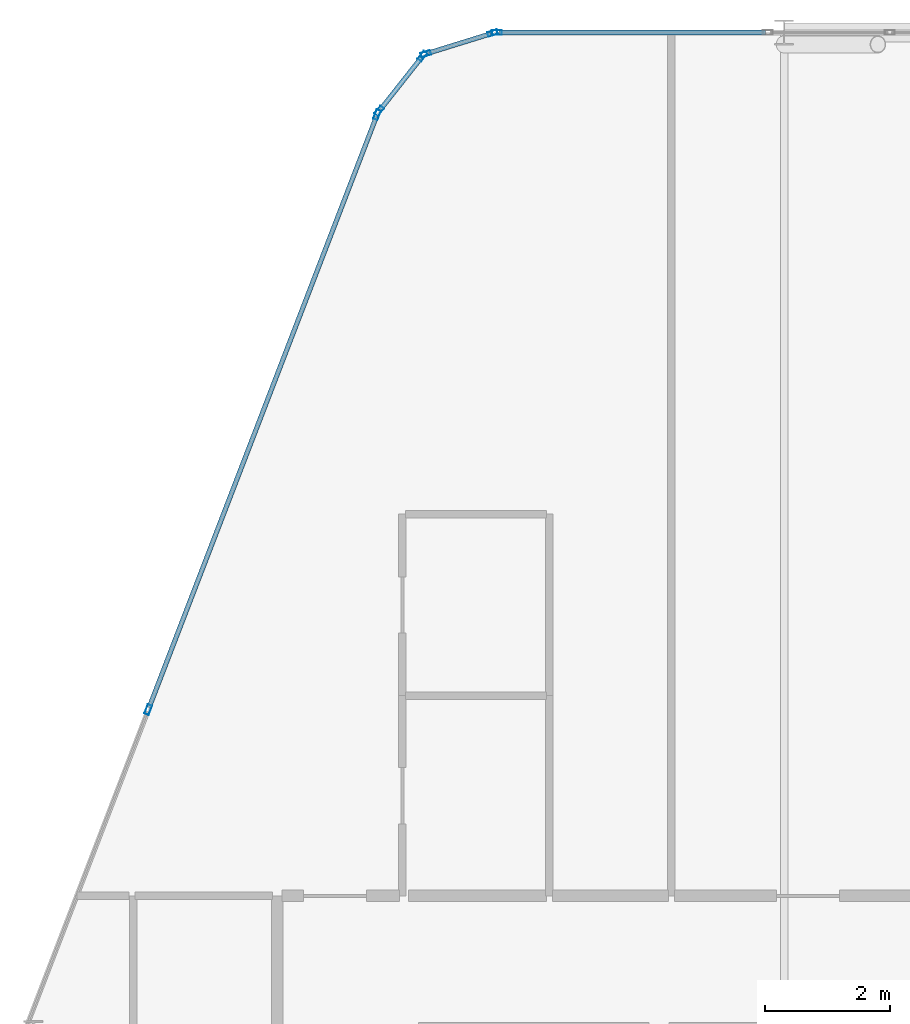
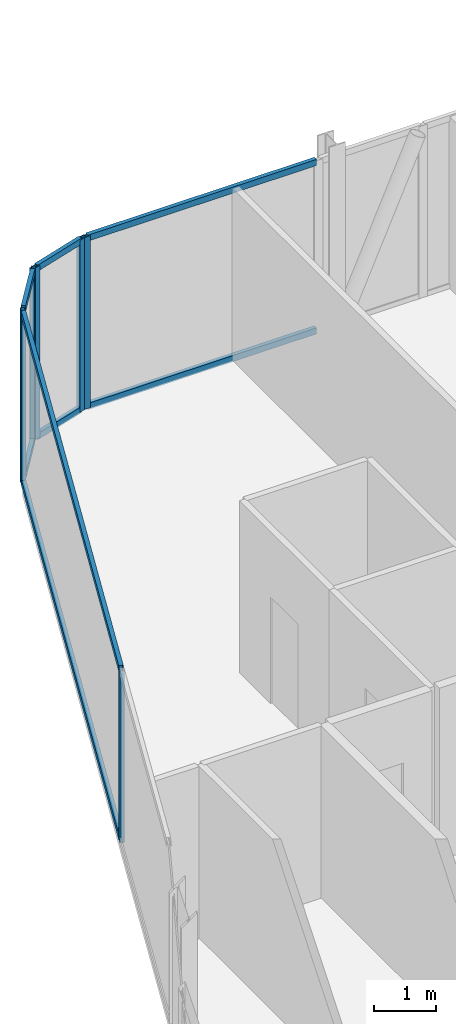
# One storey, part 15 of 27: 15 members, 4 elements without a shape of their own.
"""IFC4 building model written with IfcOpenShell, lengths in metres."""

import ifcopenshell
import ifcopenshell.guid

model = None  # the IFC model being written
_history = None  # IfcOwnerHistory: only IFC2X3 demands one
_inside = {}  # id of a spatial element -> (the spatial element, [elements in it])
_under = {}  # id of a project, library or spatial element -> (it, [spatial elements below it])
_declared = {}  # id of a project -> (the project, [libraries it declares])
_typed = {}  # id of a type object -> (the type object, [elements of that type])
_made_of = {}  # id of a material, layer set ... -> (it, [elements and type objects made of it])


def new_model(schema):
    """Start an empty IFC model of exactly this schema.

    Asked for "IFC4X3", IfcOpenShell would pick the latest addendum, in which some entities
    have other attributes; the version numbers below select the first issue.
    IFC2X3 requires an IfcOwnerHistory on every rooted entity: one is made here for all.
    """
    global model, _history
    if schema == "IFC4X3":
        model = ifcopenshell.file(schema_version=(4, 3, 0, 0))
    else:
        model = ifcopenshell.file(schema=schema)
    _inside.clear()
    _under.clear()
    _declared.clear()
    _typed.clear()
    _made_of.clear()
    _history = None
    if model.schema == "IFC2X3":
        org = make("IfcOrganization", Name="unknown")
        user = make(
            "IfcPersonAndOrganization",
            ThePerson=make("IfcPerson", FamilyName="unknown"),
            TheOrganization=org,
        )
        app = make(
            "IfcApplication",
            ApplicationDeveloper=org,
            Version="unknown",
            ApplicationFullName="unknown",
            ApplicationIdentifier="unknown",
        )
        _history = make(
            "IfcOwnerHistory",
            OwningUser=user,
            OwningApplication=app,
            ChangeAction="ADDED",
            CreationDate=0,
        )
    return model


def make(cls, **values):
    """One entity of the class cls with the attributes given. An attribute that is None is left unset."""
    return model.create_entity(
        cls, **{name: value for name, value in values.items() if value is not None}
    )


def rooted(cls, **values):
    """An entity with a GlobalId (a new one), such as an element, a storey or a relation."""
    return make(cls, GlobalId=ifcopenshell.guid.new(), OwnerHistory=_history, **values)


def si_unit(unit_type, name, prefix=None):
    """IfcSIUnit, for example si_unit("LENGTHUNIT", "METRE", prefix="MILLI")."""
    return make("IfcSIUnit", UnitType=unit_type, Prefix=prefix, Name=name)


def assignment(units):
    """IfcUnitAssignment: the units of a project."""
    return None if units is None else make("IfcUnitAssignment", Units=units)


def point(xyz):
    """IfcCartesianPoint."""
    return None if xyz is None else make("IfcCartesianPoint", Coordinates=xyz)


def direction(xyz):
    """IfcDirection."""
    return None if xyz is None else make("IfcDirection", DirectionRatios=xyz)


def frame(location, z_axis=None, x_axis=None):
    """IfcAxis2Placement3D, a coordinate frame: its origin and axes. An axis left out is left unset."""
    return make(
        "IfcAxis2Placement3D",
        Location=point(location),
        Axis=direction(z_axis),
        RefDirection=direction(x_axis),
    )


def frame_2d(location, x_axis=None):
    """IfcAxis2Placement2D, a coordinate frame in the plane: its origin and x axis."""
    return make(
        "IfcAxis2Placement2D", Location=point(location), RefDirection=direction(x_axis)
    )


def origin():
    """The frame at (0, 0, 0) with its axes left unset."""
    return frame((0.0, 0.0, 0.0))


def origin_2d():
    """The frame at (0, 0) in the plane with its x axis left unset."""
    return frame_2d((0.0, 0.0))


def place(relative_to, where):
    """IfcLocalPlacement: puts the frame where relative to a parent placement (None: the world)."""
    return make(
        "IfcLocalPlacement", PlacementRelTo=relative_to, RelativePlacement=where
    )


def context(
    kind, dimensions, precision=None, world=None, true_north=None, identifier=None
):
    """IfcGeometricRepresentationContext, for example the 3D "Model" context."""
    return make(
        "IfcGeometricRepresentationContext",
        ContextIdentifier=identifier,
        ContextType=kind,
        CoordinateSpaceDimension=dimensions,
        Precision=precision,
        WorldCoordinateSystem=world,
        TrueNorth=true_north,
    )


def subcontext(parent, identifier, kind, view, scale=None):
    """IfcGeometricRepresentationSubContext, for example "Body" below "Model"."""
    return make(
        "IfcGeometricRepresentationSubContext",
        ContextIdentifier=identifier,
        ContextType=kind,
        ParentContext=parent,
        TargetScale=scale,
        TargetView=view,
    )


def project(units=None, contexts=None):
    """IfcProject with its units and contexts."""
    return rooted(
        "IfcProject",
        Name="project",
        RepresentationContexts=contexts,
        UnitsInContext=assignment(units),
    )


def spatial(cls, under=None, at=None, **own):
    """A site, building, storey or space (cls), placed at a placement, below another one or the project."""
    s = rooted(cls, ObjectPlacement=at, **own)
    if under is not None:
        _under.setdefault(under.id(), (under, []))[1].append(s)
    return s


def profile(cls, at=None, kind="AREA", **sizes):
    """A parametric profile (cls). Its sizes go by their IFC names, for example OverallWidth=200.0."""
    return make(cls, ProfileType=kind, Position=at, **sizes)


def hollow_rectangle(**sizes):
    """IfcRectangleHollowProfileDef."""
    return profile("IfcRectangleHollowProfileDef", **sizes)


def extrude(swept, where, along, depth):
    """IfcExtrudedAreaSolid: the profile swept, set in the frame where, extruded along a direction by depth."""
    return make(
        "IfcExtrudedAreaSolid",
        SweptArea=swept,
        Position=where,
        ExtrudedDirection=direction(along),
        Depth=depth,
    )


def shape(context_of_items, identifier, shape_type, items):
    """IfcShapeRepresentation: the items that make up one representation, for example the "Body"."""
    return make(
        "IfcShapeRepresentation",
        ContextOfItems=context_of_items,
        RepresentationIdentifier=identifier,
        RepresentationType=shape_type,
        Items=items,
    )


def material(Name=None, Category=None):
    """IfcMaterial."""
    return make("IfcMaterial", Name=Name, Category=Category)


def layer(
    of_material, thickness, ventilated=None, Name=None, Category=None, Priority=None
):
    """IfcMaterialLayer: one layer of a wall or slab, of a material (None: an air gap)."""
    return make(
        "IfcMaterialLayer",
        Material=of_material,
        LayerThickness=thickness,
        IsVentilated=ventilated,
        Name=Name,
        Category=Category,
        Priority=Priority,
    )


def layer_set(layers, Name=None):
    """IfcMaterialLayerSet."""
    return make("IfcMaterialLayerSet", MaterialLayers=layers, LayerSetName=Name)


def material_profile(
    of_material, cross_section, Name=None, Category=None, Priority=None
):
    """IfcMaterialProfile: a cross section and its material."""
    return make(
        "IfcMaterialProfile",
        Name=Name,
        Material=of_material,
        Profile=cross_section,
        Priority=Priority,
        Category=Category,
    )


def profile_set(profiles, Name=None, composite=None):
    """IfcMaterialProfileSet."""
    return make(
        "IfcMaterialProfileSet",
        Name=Name,
        MaterialProfiles=profiles,
        CompositeProfile=composite,
    )


def made_of(thing, what):
    """Note that an element or type object is made of a material, layer set ...; save() writes the relation."""
    if what is not None:
        _made_of.setdefault(what.id(), (what, []))[1].append(thing)
    return thing


def type_object(cls, material=None, **own):
    """A type object (cls), such as IfcWallType, which elements share."""
    return made_of(rooted(cls, **own), material)


def element(
    cls,
    number,
    at=None,
    inside=None,
    cuts=None,
    type_object=None,
    material=None,
    context=None,
    identifier="Body",
    shape_type=None,
    held_by="IfcProductDefinitionShape",
    body=None,
    shapes=None,
    **own,
):
    """One element of the class cls, such as IfcWall. Its Tag is "e" and its number.

    at: its placement. inside: the storey or other place that contains it. cuts: it is an
    opening in that element (IfcRelVoidsElement). A single representation is given by context,
    identifier, shape_type and body (its items); several are given by shapes. held_by: the class
    of the entity that holds the representations. save() writes the other relations.
    """
    e = rooted(cls, Tag="e%d" % number, ObjectPlacement=at, **own)
    if body is not None:
        shapes = [shape(context, identifier, shape_type, body)]
    if shapes is not None:
        e.Representation = make(held_by, Representations=shapes)
    if inside is not None:
        _inside.setdefault(inside.id(), (inside, []))[1].append(e)
    if cuts is not None:
        rooted(
            "IfcRelVoidsElement", RelatingBuildingElement=cuts, RelatedOpeningElement=e
        )
    if type_object is not None:
        _typed.setdefault(type_object.id(), (type_object, []))[1].append(e)
    return made_of(e, material)


def aggregate(whole, parts):
    """IfcRelAggregates: a whole, such as a stair, and the parts it consists of."""
    return rooted("IfcRelAggregates", RelatingObject=whole, RelatedObjects=parts)


def save(model, path):
    """Write the relations noted so far, then the file.

    IfcRelAggregates (storeys below a building ...), IfcRelContainedInSpatialStructure (elements
    in a storey), IfcRelDefinesByType, IfcRelAssociatesMaterial and IfcRelDeclares: one each for
    every whole, place, type object, material and project.
    """
    for whole, parts in _under.values():
        aggregate(whole, parts)
    for where, things in _inside.values():
        rooted(
            "IfcRelContainedInSpatialStructure",
            RelatedElements=things,
            RelatingStructure=where,
        )
    for kind, things in _typed.values():
        rooted("IfcRelDefinesByType", RelatedObjects=things, RelatingType=kind)
    for what, things in _made_of.values():
        rooted("IfcRelAssociatesMaterial", RelatedObjects=things, RelatingMaterial=what)
    for by, libraries in _declared.values():
        rooted("IfcRelDeclares", RelatingContext=by, RelatedDefinitions=libraries)
    model.write(path)


model = new_model("IFC4")

# Units and contexts
model_context = context("Model", 3, precision=1e-05, world=origin(), true_north=direction((0.0, 1.0)))
body_context = subcontext(model_context, "Body", "Model", "MODEL_VIEW")
ifc_project = project(units=[si_unit("LENGTHUNIT", "METRE"), si_unit("AREAUNIT", "SQUARE_METRE"), si_unit("VOLUMEUNIT", "CUBIC_METRE"), si_unit("PLANEANGLEUNIT", "RADIAN"), si_unit("MASSUNIT", "GRAM", prefix="KILO")], contexts=[model_context])

# Site, building, storey
site_placement = place(None, origin())
site = spatial("IfcSite", under=ifc_project, at=site_placement, CompositionType="ELEMENT")
building_placement = place(site_placement, origin())
building = spatial("IfcBuilding", under=site, at=building_placement, Name="Keshet Zoharim Tower", CompositionType="ELEMENT")
storey_placement = place(building_placement, frame((0.0, 0.0, 284.300048828125)))
storey = spatial("IfcBuildingStorey", under=building, at=storey_placement, Name="L71", CompositionType="ELEMENT", Elevation=284.300048828125)

# Curtain wall, members
ifc_material = material(Name="Aluminium 6063-T6", Category="aluminium")
ifc_layer = layer(ifc_material, 0.260009765625)
ifc_layer_set = layer_set([ifc_layer], Name="Aluminium 6063-T6")
curtain_wall_type = type_object("IfcCurtainWallType", Name="CW-SYS-06", PredefinedType="NOTDEFINED", material=ifc_layer_set)
curtain_wall_1_placement = place(storey_placement, origin())
curtain_wall_1 = element("IfcCurtainWall", 1, at=curtain_wall_1_placement, inside=storey, type_object=curtain_wall_type, Name="L71 Unitised Curtain Wall 03", PredefinedType="NOTDEFINED")
ifc_material_profile_1 = material_profile(ifc_material, hollow_rectangle(XDim=0.074951171875, YDim=0.159912109375, WallThickness=0.00390625, at=origin_2d()), Name="MUL-75x160")
ifc_profile_set_1 = profile_set([ifc_material_profile_1], Name="Aluminium 6063-T6")
member_type_1 = type_object("IfcMemberType", Name="CWM-M15", PredefinedType="MULLION", material=ifc_profile_set_1)
member_1_placement = place(storey_placement, frame((10.8369140625, 43.076416015625, 0.0), z_axis=(0.0, 0.0, 1.0), x_axis=(-0.933341404361, 0.358990003907, 0.0)))
member_1 = element("IfcMember", 2, at=member_1_placement, type_object=member_type_1, Name="CW-06 mullion 3", PredefinedType="MULLION", context=body_context, shape_type="SweptSolid", body=[
    extrude(hollow_rectangle(XDim=0.074951171875, YDim=0.159912109375, WallThickness=0.00390625, at=origin_2d()), origin(), (0.0, 0.0, 1.0), 3.389892578125),
])
member_2_placement = place(storey_placement, frame((14.494384765625, 52.58544921875, 0.0), z_axis=(0.0, 0.0, 1.0), x_axis=(-0.933341404361, 0.358990003907, 0.0)))
member_2 = element("IfcMember", 3, at=member_2_placement, type_object=member_type_1, Name="CW-06 mullion 4", PredefinedType="MULLION", context=body_context, shape_type="SweptSolid", body=[
    extrude(hollow_rectangle(XDim=0.074951171875, YDim=0.159912109375, WallThickness=0.00390625, at=origin_2d()), origin(), (0.0, 0.0, 1.0), 3.389892578125),
])

curtain_wall_2_placement = place(storey_placement, origin())
curtain_wall_2 = element("IfcCurtainWall", 4, at=curtain_wall_2_placement, inside=storey, type_object=curtain_wall_type, Name="L71 Unitised Curtain Wall 04", PredefinedType="NOTDEFINED")
member_3_placement = place(storey_placement, frame((14.528564453125, 52.6455078125, 0.0), z_axis=(0.0, 0.0, 1.0), x_axis=(-0.785292825205, 0.619124525989, 0.0)))
member_3 = element("IfcMember", 5, at=member_3_placement, type_object=member_type_1, Name="CW-06 mullion 1", PredefinedType="MULLION", context=body_context, shape_type="SweptSolid", body=[
    extrude(hollow_rectangle(XDim=0.074951171875, YDim=0.159912109375, WallThickness=0.00390625, at=origin_2d()), origin(), (0.0, 0.0, 1.0), 3.389892578125),
])
member_4_placement = place(storey_placement, frame((15.21923828125, 53.521484375, 0.0), z_axis=(0.0, 0.0, 1.0), x_axis=(-0.785292825205, 0.619124525989, 0.0)))
member_4 = element("IfcMember", 6, at=member_4_placement, type_object=member_type_1, Name="CW-06 mullion 2", PredefinedType="MULLION", context=body_context, shape_type="SweptSolid", body=[
    extrude(hollow_rectangle(XDim=0.074951171875, YDim=0.159912109375, WallThickness=0.00390625, at=origin_2d()), origin(), (0.0, 0.0, 1.0), 3.389892578125),
])

curtain_wall_3_placement = place(storey_placement, origin())
curtain_wall_3 = element("IfcCurtainWall", 7, at=curtain_wall_3_placement, inside=storey, type_object=curtain_wall_type, Name="L71 Unitised Curtain Wall 05", PredefinedType="NOTDEFINED")
member_5_placement = place(storey_placement, frame((15.2744140625, 53.559326171875, 0.0), z_axis=(0.0, 0.0, 1.0), x_axis=(-0.295921857984, 0.955212151288, 0.0)))
member_5 = element("IfcMember", 8, at=member_5_placement, type_object=member_type_1, Name="CW-06 mullion 1", PredefinedType="MULLION", context=body_context, shape_type="SweptSolid", body=[
    extrude(hollow_rectangle(XDim=0.074951171875, YDim=0.159912109375, WallThickness=0.00390625, at=origin_2d()), origin(), (0.0, 0.0, 1.0), 3.389892578125),
])
member_6_placement = place(storey_placement, frame((16.340576171875, 53.8896484375, 0.0), z_axis=(0.0, 0.0, 1.0), x_axis=(-0.295921857984, 0.955212151288, 0.0)))
member_6 = element("IfcMember", 9, at=member_6_placement, type_object=member_type_1, Name="CW-06 mullion 2", PredefinedType="MULLION", context=body_context, shape_type="SweptSolid", body=[
    extrude(hollow_rectangle(XDim=0.074951171875, YDim=0.159912109375, WallThickness=0.00390625, at=origin_2d()), origin(), (0.0, 0.0, 1.0), 3.389892578125),
])

# Curtain wall, member
curtain_wall_4_placement = place(storey_placement, origin())
curtain_wall_4 = element("IfcCurtainWall", 10, at=curtain_wall_4_placement, inside=storey, type_object=curtain_wall_type, Name="L71 Unitised Curtain Wall 06", PredefinedType="NOTDEFINED")
member_7_placement = place(storey_placement, frame((16.408935546875, 53.89990234375, 0.0), z_axis=(0.0, 0.0, 1.0), x_axis=(0.0, 1.0, 0.0)))
member_7 = element("IfcMember", 11, at=member_7_placement, type_object=member_type_1, Name="CW-06 mullion 1", PredefinedType="MULLION", context=body_context, shape_type="SweptSolid", body=[
    extrude(hollow_rectangle(XDim=0.074951171875, YDim=0.159912109375, WallThickness=0.00390625, at=origin_2d()), origin(), (0.0, 0.0, 1.0), 3.389892578125),
])

# Member
ifc_material_profile_2 = material_profile(ifc_material, hollow_rectangle(XDim=0.074951171875, YDim=0.1201171875, WallThickness=0.00390625, at=origin_2d()), Name="TRN-75x120")
ifc_profile_set_2 = profile_set([ifc_material_profile_2], Name="Aluminium 6063-T6")
member_type_2 = type_object("IfcMemberType", Name="CWT-T12", PredefinedType="USERDEFINED", material=ifc_profile_set_2)
member_8_placement = place(storey_placement, frame((10.849609375, 43.10888671875, 0.034912109375), z_axis=(0.358985546764, 0.933343118694, 0.0), x_axis=(-0.933343118694, 0.358985546764, 0.0)))
member_8 = element("IfcMember", 12, at=member_8_placement, type_object=member_type_2, Name="CW-06 transom 3.1", ObjectType="TRANSOM", PredefinedType="USERDEFINED", context=body_context, shape_type="SweptSolid", body=[
    extrude(hollow_rectangle(XDim=0.074951171875, YDim=0.1201171875, WallThickness=0.00390625, at=origin_2d()), origin(), (0.0, 0.0, 1.0), 10.118408203125),
])

member_9_placement = place(storey_placement, frame((10.849609375, 43.10888671875, 3.35498046875), z_axis=(0.358985546764, 0.933343118694, 0.0), x_axis=(-0.933343118694, 0.358985546764, 0.0)))
member_9 = element("IfcMember", 13, at=member_9_placement, type_object=member_type_2, Name="CW-06 transom 3.2", ObjectType="TRANSOM", PredefinedType="USERDEFINED", context=body_context, shape_type="SweptSolid", body=[
    extrude(hollow_rectangle(XDim=0.074951171875, YDim=0.1201171875, WallThickness=0.00390625, at=origin_2d()), origin(), (0.0, 0.0, 1.0), 10.118408203125),
])

aggregate(curtain_wall_1, [member_1, member_2, member_8, member_9])

member_10_placement = place(storey_placement, frame((14.55029296875, 52.6728515625, 0.034912109375), z_axis=(0.619099165969, 0.78531281837, 0.0), x_axis=(-0.78531281837, 0.619099165969, 0.0)))
member_10 = element("IfcMember", 14, at=member_10_placement, type_object=member_type_2, Name="CW-06 transom 1.1", ObjectType="TRANSOM", PredefinedType="USERDEFINED", context=body_context, shape_type="SweptSolid", body=[
    extrude(hollow_rectangle(XDim=0.074951171875, YDim=0.1201171875, WallThickness=0.00390625, at=origin_2d()), origin(), (0.0, 0.0, 1.0), 1.0458984375),
])

member_11_placement = place(storey_placement, frame((14.55029296875, 52.6728515625, 3.35498046875), z_axis=(0.619099165969, 0.78531281837, 0.0), x_axis=(-0.78531281837, 0.619099165969, 0.0)))
member_11 = element("IfcMember", 15, at=member_11_placement, type_object=member_type_2, Name="CW-06 transom 1.2", ObjectType="TRANSOM", PredefinedType="USERDEFINED", context=body_context, shape_type="SweptSolid", body=[
    extrude(hollow_rectangle(XDim=0.074951171875, YDim=0.1201171875, WallThickness=0.00390625, at=origin_2d()), origin(), (0.0, 0.0, 1.0), 1.0458984375),
])

aggregate(curtain_wall_2, [member_3, member_4, member_10, member_11])

member_12_placement = place(storey_placement, frame((15.307861328125, 53.56982421875, 0.034912109375), z_axis=(0.955212093062, 0.295922045933, 0.0), x_axis=(-0.295922045933, 0.955212093062, 0.0)))
member_12 = element("IfcMember", 16, at=member_12_placement, type_object=member_type_2, Name="CW-06 transom 1.1", ObjectType="TRANSOM", PredefinedType="USERDEFINED", context=body_context, shape_type="SweptSolid", body=[
    extrude(hollow_rectangle(XDim=0.074951171875, YDim=0.1201171875, WallThickness=0.00390625, at=origin_2d()), origin(), (0.0, 0.0, 1.0), 1.046142578125),
])

member_13_placement = place(storey_placement, frame((15.307861328125, 53.56982421875, 3.35498046875), z_axis=(0.955212093062, 0.295922045933, 0.0), x_axis=(-0.295922045933, 0.955212093062, 0.0)))
member_13 = element("IfcMember", 17, at=member_13_placement, type_object=member_type_2, Name="CW-06 transom 1.2", ObjectType="TRANSOM", PredefinedType="USERDEFINED", context=body_context, shape_type="SweptSolid", body=[
    extrude(hollow_rectangle(XDim=0.074951171875, YDim=0.1201171875, WallThickness=0.00390625, at=origin_2d()), origin(), (0.0, 0.0, 1.0), 1.046142578125),
])

aggregate(curtain_wall_3, [member_5, member_6, member_12, member_13])

member_14_placement = place(storey_placement, frame((16.444091796875, 53.89990234375, 0.034912109375), z_axis=(1.0, 0.0, 0.0), x_axis=(0.0, 1.0, 0.0)))
member_14 = element("IfcMember", 18, at=member_14_placement, type_object=member_type_2, Name="CW-06 transom 1.1", ObjectType="TRANSOM", PredefinedType="USERDEFINED", context=body_context, shape_type="SweptSolid", body=[
    extrude(hollow_rectangle(XDim=0.074951171875, YDim=0.1201171875, WallThickness=0.00390625, at=origin_2d()), origin(), (0.0, 0.0, 1.0), 4.260986328125),
])

member_15_placement = place(storey_placement, frame((16.444091796875, 53.89990234375, 3.35498046875), z_axis=(1.0, 0.0, 0.0), x_axis=(0.0, 1.0, 0.0)))
member_15 = element("IfcMember", 19, at=member_15_placement, type_object=member_type_2, Name="CW-06 transom 1.2", ObjectType="TRANSOM", PredefinedType="USERDEFINED", context=body_context, shape_type="SweptSolid", body=[
    extrude(hollow_rectangle(XDim=0.074951171875, YDim=0.1201171875, WallThickness=0.00390625, at=origin_2d()), origin(), (0.0, 0.0, 1.0), 4.260986328125),
])

aggregate(curtain_wall_4, [member_7, member_14, member_15])

save(model, "model.ifc")
